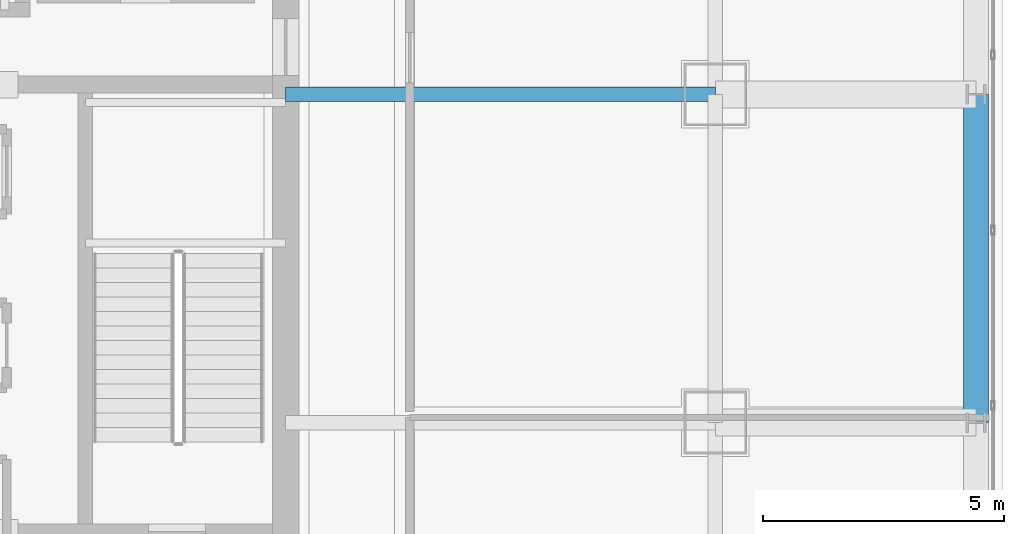
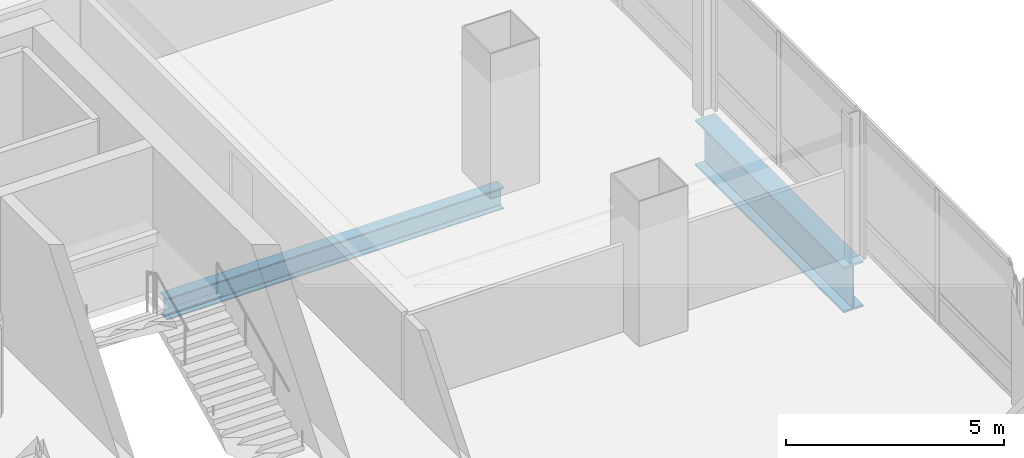
# One storey, part 17 of 51: 2 beams.
"""IFC4 building model written with IfcOpenShell, lengths in metres."""

from ifc_helpers import new_model, si_unit, direction, frame, origin, origin_2d, place, context, subcontext, project, spatial, i_section, extrude, material, material_profile, profile_set, type_object, element, save


model = new_model("IFC4")

# Units and contexts
model_context = context("Model", 3, precision=1e-05, world=origin(), true_north=direction((0.0, 1.0)))
body_context = subcontext(model_context, "Body", "Model", "MODEL_VIEW")
ifc_project = project(units=[si_unit("LENGTHUNIT", "METRE"), si_unit("AREAUNIT", "SQUARE_METRE"), si_unit("VOLUMEUNIT", "CUBIC_METRE"), si_unit("PLANEANGLEUNIT", "RADIAN"), si_unit("MASSUNIT", "GRAM", prefix="KILO")], contexts=[model_context])

# Site, building, storey
site_placement = place(None, origin())
site = spatial("IfcSite", under=ifc_project, at=site_placement, CompositionType="ELEMENT")
building_placement = place(site_placement, origin())
building = spatial("IfcBuilding", under=site, at=building_placement, Name="Punatoya Terracotta Tower", CompositionType="ELEMENT")
storey_placement = place(building_placement, frame((0.0, 0.0, 279.75)))
storey = spatial("IfcBuildingStorey", under=building, at=storey_placement, Name="L66", CompositionType="ELEMENT", Elevation=279.75)

# Beams
ifc_material_1 = material(Name="Steel S355", Category="steel")
ifc_material_profile_1 = material_profile(ifc_material_1, i_section(OverallWidth=0.300048828125, OverallDepth=0.60009765625, WebThickness=0.015380859375, FlangeThickness=0.030029296875, FilletRadius=0.01806640625, at=origin_2d()))
ifc_profile_set_1 = profile_set([ifc_material_profile_1], Name="Steel S355")
beam_type_1 = type_object("IfcBeamType", Name="BM-PRI-600", PredefinedType="BEAM", material=ifc_profile_set_1)
beam_1_placement = place(storey_placement, frame((10.199951171875, 3.39990234375, -0.5), z_axis=(1.0, 0.0, 0.0), x_axis=(0.0, 1.0, 0.0)))
element("IfcBeam", 1, at=beam_1_placement, inside=storey, type_object=beam_type_1, Name="BM-L66-PR-EE", PredefinedType="BEAM", context=body_context, shape_type="SweptSolid", body=[
    extrude(i_section(OverallWidth=0.300048828125, OverallDepth=0.60009765625, WebThickness=0.015380859375, FlangeThickness=0.030029296875, FilletRadius=0.01806640625, at=origin_2d()), origin(), (0.0, 0.0, 1.0), 8.900146484375),
])
ifc_material_2 = material(Name="Steel S460", Category="steel")
ifc_material_profile_2 = material_profile(ifc_material_2, i_section(OverallWidth=0.52001953125, OverallDepth=1.280029296875, WebThickness=0.031982421875, FlangeThickness=0.050048828125, FilletRadius=0.01806640625, at=origin_2d()))
ifc_profile_set_2 = profile_set([ifc_material_profile_2], Name="Steel S460")
beam_type_2 = type_object("IfcBeamType", Name="BM-TG-NCK", PredefinedType="BEAM", material=ifc_profile_set_2)
beam_2_placement = place(storey_placement, frame((24.5, -3.39990234375, -0.840087890625), z_axis=(0.0, 1.0, 0.0), x_axis=(-1.0, 0.0, 0.0)))
element("IfcBeam", 2, at=beam_2_placement, inside=storey, type_object=beam_type_2, Name="BM-L66-PER-E2", PredefinedType="BEAM", context=body_context, shape_type="SweptSolid", body=[
    extrude(i_section(OverallWidth=0.52001953125, OverallDepth=1.280029296875, WebThickness=0.031982421875, FlangeThickness=0.050048828125, FilletRadius=0.01806640625, at=origin_2d()), origin(), (0.0, 0.0, 1.0), 6.7998046875),
])

save(model, "model.ifc")
